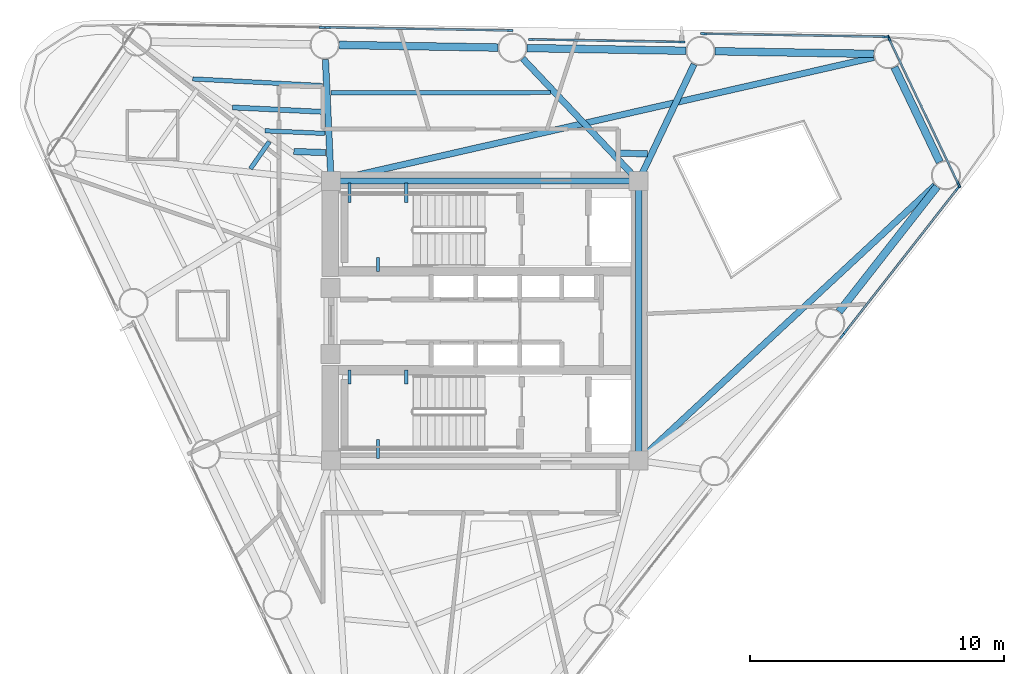
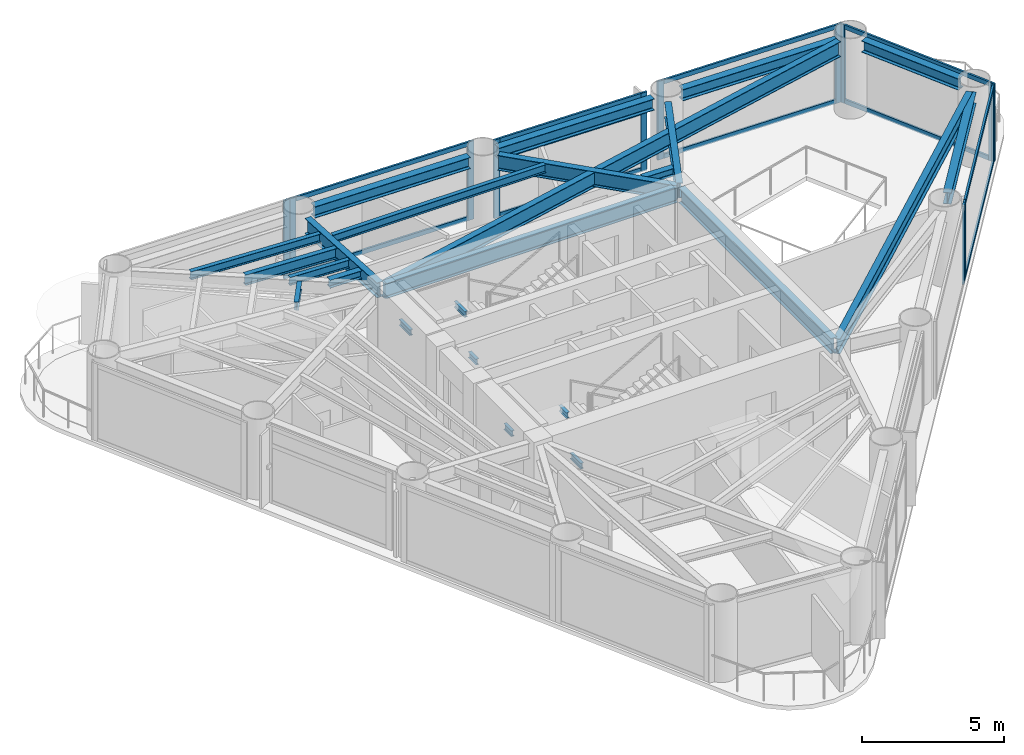
# One storey, part 3 of 9: 25 beams, 23 members, 7 elements without a shape of their own.
"""IFC4 building model written with IfcOpenShell, lengths in metres."""

from ifc_helpers import new_model, si_unit, direction, frame, origin, origin_2d, place, context, subcontext, project, spatial, rectangle, i_section, extrude, source, transform, mapped, material, layer, layer_set, material_profile, profile_set, type_object, element, aggregate, save


model = new_model("IFC4")

# Units and contexts
model_context = context("Model", 3, precision=1e-05, world=origin(), true_north=direction((0.0, 1.0)))
body_context = subcontext(model_context, "Body", "Model", "MODEL_VIEW")
ifc_project = project(units=[si_unit("LENGTHUNIT", "METRE"), si_unit("AREAUNIT", "SQUARE_METRE"), si_unit("VOLUMEUNIT", "CUBIC_METRE"), si_unit("PLANEANGLEUNIT", "RADIAN"), si_unit("MASSUNIT", "GRAM", prefix="KILO")], contexts=[model_context])

# Site, building, storey
site_placement = place(None, origin())
site = spatial("IfcSite", under=ifc_project, at=site_placement, CompositionType="ELEMENT")
building_placement = place(site_placement, origin())
building = spatial("IfcBuilding", under=site, at=building_placement, Name="Yunling Apex Tower", CompositionType="ELEMENT")
storey_placement = place(building_placement, frame((0.0, 0.0, 201.800048828125)))
storey = spatial("IfcBuildingStorey", under=building, at=storey_placement, Name="L49", CompositionType="ELEMENT", Elevation=201.800048828125)

# Beams
ifc_material_1 = material(Name="Steel Q355B", Category="steel")
ifc_material_profile_1 = material_profile(ifc_material_1, i_section(OverallWidth=0.125, OverallDepth=0.25, WebThickness=0.006103515625, FlangeThickness=0.009033203125, FilletRadius=0.011962890625, at=origin_2d()))
ifc_profile_set_1 = profile_set([ifc_material_profile_1], Name="Steel Q355B")
beam_type_1 = type_object("IfcBeamType", Name="BL-LNT-1", PredefinedType="LINTEL", material=ifc_profile_set_1)
shared_shape_1 = source(origin(), body_context, "Body", "SweptSolid", [
    extrude(i_section(OverallWidth=0.125, OverallDepth=0.25, WebThickness=0.006103515625, FlangeThickness=0.009033203125, FilletRadius=0.011962890625, at=origin_2d()), origin(), (0.0, 0.0, 1.0), 0.760009765625),
])
for number, where, z_axis, x_axis, name in (
    (1, (-5.320068359375, 5.419921875, 1.405029296875), (0.0, -1.0, 0.0), (1.0, 0.0, 0.0), "L49 ST-1 Landing Bearing Corbel 1-1"),
    (2, (-3.090087890625, 5.419921875, 1.405029296875), (0.0, -1.0, 0.0), (1.0, 0.0, 0.0), "L49 ST-1 Landing Bearing Corbel 1-2"),
    (3, (-4.205078125, -5.419921875, 1.405029296875), (0.0, 1.0, 0.0), (-1.0, 0.0, 0.0), "L49 ST-2 Landing Bearing Corbel 1-3"),
):
    element("IfcBeam", number, at=place(storey_placement, frame(where, z_axis=z_axis, x_axis=x_axis)), inside=storey, type_object=beam_type_1, Name=name, PredefinedType="LINTEL", context=body_context, shape_type="MappedRepresentation", body=[
        mapped(shared_shape_1, transform((0.0, 0.0, 0.0), scale=1.0)),
    ])
shared_shape_2 = source(origin(), body_context, "Body", "SweptSolid", [
    extrude(i_section(OverallWidth=0.125, OverallDepth=0.25, WebThickness=0.006103515625, FlangeThickness=0.009033203125, FilletRadius=0.011962890625, at=origin_2d()), origin(), (0.0, 0.0, 1.0), 0.550048828125),
])
for number, where, z_axis, x_axis, name in (
    (4, (-4.205078125, 1.93994140625, 1.405029296875), (0.0, 1.0, 0.0), (-1.0, 0.0, 0.0), "L49 ST-1 Landing Bearing Corbel 1-3"),
    (5, (-5.320068359375, -1.93994140625, 1.405029296875), (0.0, -1.0, 0.0), (1.0, 0.0, 0.0), "L49 ST-2 Landing Bearing Corbel 1-1"),
    (6, (-3.090087890625, -1.93994140625, 1.405029296875), (0.0, -1.0, 0.0), (1.0, 0.0, 0.0), "L49 ST-2 Landing Bearing Corbel 1-2"),
):
    element("IfcBeam", number, at=place(storey_placement, frame(where, z_axis=z_axis, x_axis=x_axis)), inside=storey, type_object=beam_type_1, Name=name, PredefinedType="LINTEL", context=body_context, shape_type="MappedRepresentation", body=[
        mapped(shared_shape_2, transform((0.0, 0.0, 0.0), scale=1.0)),
    ])
ifc_material_profile_2 = material_profile(ifc_material_1, i_section(OverallWidth=0.25, OverallDepth=0.64990234375, WebThickness=0.011962890625, FlangeThickness=0.02001953125, FilletRadius=0.02392578125, at=origin_2d()))
ifc_profile_set_2 = profile_set([ifc_material_profile_2], Name="Steel Q355B")
beam_type_2 = type_object("IfcBeamType", Name="BG-PRI-4", PredefinedType="USERDEFINED", material=ifc_profile_set_2)
shared_shape_3 = source(origin(), body_context, "Body", "SweptSolid", [
    extrude(i_section(OverallWidth=0.25, OverallDepth=0.64990234375, WebThickness=0.011962890625, FlangeThickness=0.02001953125, FilletRadius=0.02392578125, at=origin_2d()), origin(), (0.0, 0.0, 1.0), 11.7998046875),
])
beam_1_placement = place(storey_placement, frame((5.89990234375, 5.5, 2.945068359375), z_axis=(-1.0, 0.0, 0.0), x_axis=(0.0, -1.0, 0.0)))
element("IfcBeam", 7, at=beam_1_placement, inside=storey, type_object=beam_type_2, Name="L49 Core Ring Tie Beam 3", ObjectType="GIRDER", PredefinedType="USERDEFINED", context=body_context, shape_type="MappedRepresentation", body=[
    mapped(shared_shape_3, transform((0.0, 0.0, 0.0), scale=1.0)),
])
shared_shape_4 = source(origin(), body_context, "Body", "SweptSolid", [
    extrude(i_section(OverallWidth=0.25, OverallDepth=0.64990234375, WebThickness=0.011962890625, FlangeThickness=0.02001953125, FilletRadius=0.02392578125, at=origin_2d()), origin(), (0.0, 0.0, 1.0), 10.7001953125),
])
beam_2_placement = place(storey_placement, frame((6.050048828125, -5.35009765625, 2.945068359375), z_axis=(0.0, 1.0, 0.0), x_axis=(-1.0, 0.0, 0.0)))
element("IfcBeam", 8, at=beam_2_placement, inside=storey, type_object=beam_type_2, Name="L49 Core Ring Tie Beam 2", ObjectType="GIRDER", PredefinedType="USERDEFINED", context=body_context, shape_type="MappedRepresentation", body=[
    mapped(shared_shape_4, transform((0.0, 0.0, 0.0), scale=1.0)),
])
ifc_material_profile_3 = material_profile(ifc_material_1, i_section(OverallWidth=0.300048828125, OverallDepth=0.489990234375, WebThickness=0.010986328125, FlangeThickness=0.01806640625, FilletRadius=0.02197265625, at=origin_2d()))
ifc_profile_set_3 = profile_set([ifc_material_profile_3], Name="Steel Q355B")
beam_type_3 = type_object("IfcBeamType", Name="BP-SPN-2", PredefinedType="SPANDREL", material=ifc_profile_set_3)
shared_shape_5 = source(origin(), body_context, "Body", "SweptSolid", [
    extrude(i_section(OverallWidth=0.300048828125, OverallDepth=0.489990234375, WebThickness=0.010986328125, FlangeThickness=0.01806640625, FilletRadius=0.02197265625, at=origin_2d()), origin(), (0.0, 0.0, 1.0), 6.252685546875),
])
beam_3_placement = place(storey_placement, frame((13.940185546875, 0.35791015625, 3.02490234375), z_axis=(0.616211399259, 0.787580796759, 0.0), x_axis=(-0.787580796759, 0.616211399259, 0.0)))
element("IfcBeam", 9, at=beam_3_placement, inside=storey, type_object=beam_type_3, Name="L49 Perimeter Spandrel Beam 4", PredefinedType="SPANDREL", context=body_context, shape_type="MappedRepresentation", body=[
    mapped(shared_shape_5, transform((0.0, 0.0, 0.0), scale=1.0)),
])
shared_shape_6 = source(origin(), body_context, "Body", "SweptSolid", [
    extrude(i_section(OverallWidth=0.300048828125, OverallDepth=0.489990234375, WebThickness=0.010986328125, FlangeThickness=0.01806640625, FilletRadius=0.02197265625, at=origin_2d()), origin(), (0.0, 0.0, 1.0), 6.253173828125),
])
for number, where, z_axis, x_axis, name in (
    (10, (15.302978515625, 10.50341796875, 3.02490234375), (-0.999859061432, 0.016788605428, 0.0), (-0.016788605428, -0.999859061432, 0.0), "L49 Perimeter Spandrel Beam 6"),
    (11, (7.9130859375, 10.627197265625, 3.02490234375), (-0.999859061432, 0.016788605428, 0.0), (-0.016788605428, -0.999859061432, 0.0), "L49 Perimeter Spandrel Beam 7"),
    (12, (0.523193359375, 10.751220703125, 3.02490234375), (-0.99985971606, 0.016749573126, 0.0), (-0.016749573126, -0.99985971606, 0.0), "L49 Perimeter Spandrel Beam 8"),
):
    element("IfcBeam", number, at=place(storey_placement, frame(where, z_axis=z_axis, x_axis=x_axis)), inside=storey, type_object=beam_type_3, Name=name, PredefinedType="SPANDREL", context=body_context, shape_type="MappedRepresentation", body=[
        mapped(shared_shape_6, transform((0.0, 0.0, 0.0), scale=1.0)),
    ])
shared_shape_7 = source(origin(), body_context, "Body", "SweptSolid", [
    extrude(i_section(OverallWidth=0.300048828125, OverallDepth=0.489990234375, WebThickness=0.010986328125, FlangeThickness=0.01806640625, FilletRadius=0.02197265625, at=origin_2d()), origin(), (0.0, 0.0, 1.0), 4.139404296875),
])
beam_4_placement = place(storey_placement, frame((17.898681640625, 6.244140625, 3.02490234375), z_axis=(-0.430503573335, 0.902588872824, 0.0), x_axis=(-0.902588872824, -0.430503573335, 0.0)))
element("IfcBeam", 13, at=beam_4_placement, inside=storey, type_object=beam_type_3, Name="L49 Perimeter Spandrel Beam 5", PredefinedType="SPANDREL", context=body_context, shape_type="MappedRepresentation", body=[
    mapped(shared_shape_7, transform((0.0, 0.0, 0.0), scale=1.0)),
])
shared_shape_8 = source(origin(), body_context, "Body", "SweptSolid", [
    extrude(i_section(OverallWidth=0.25, OverallDepth=0.64990234375, WebThickness=0.011962890625, FlangeThickness=0.02001953125, FilletRadius=0.02392578125, at=origin_2d()), origin(), (0.0, 0.0, 1.0), 15.841064453125),
])
beam_5_placement = place(storey_placement, frame((17.716552734375, 5.333984375, 2.945068359375), z_axis=(-0.732769338977, -0.680477108986, 0.0), x_axis=(0.680477108986, -0.732769338977, 0.0)))
element("IfcBeam", 14, at=beam_5_placement, inside=storey, type_object=beam_type_2, Name="L49 Radial Primary Girder R05", ObjectType="GIRDER", PredefinedType="USERDEFINED", context=body_context, shape_type="MappedRepresentation", body=[
    mapped(shared_shape_8, transform((0.0, 0.0, 0.0), scale=1.0)),
])
shared_shape_9 = source(origin(), body_context, "Body", "SweptSolid", [
    extrude(i_section(OverallWidth=0.25, OverallDepth=0.64990234375, WebThickness=0.011962890625, FlangeThickness=0.02001953125, FilletRadius=0.02392578125, at=origin_2d()), origin(), (0.0, 0.0, 1.0), 21.820556640625),
])
beam_6_placement = place(storey_placement, frame((15.303466796875, 10.364501953125, 2.945068359375), z_axis=(-0.975020184512, -0.222116275394, 0.0), x_axis=(0.222116275394, -0.975020184512, 0.0)))
element("IfcBeam", 15, at=beam_6_placement, inside=storey, type_object=beam_type_2, Name="L49 Radial Primary Girder R06", ObjectType="GIRDER", PredefinedType="USERDEFINED", context=body_context, shape_type="MappedRepresentation", body=[
    mapped(shared_shape_9, transform((0.0, 0.0, 0.0), scale=1.0)),
])
shared_shape_10 = source(origin(), body_context, "Body", "SweptSolid", [
    extrude(i_section(OverallWidth=0.25, OverallDepth=0.64990234375, WebThickness=0.011962890625, FlangeThickness=0.02001953125, FilletRadius=0.02392578125, at=origin_2d()), origin(), (0.0, 0.0, 1.0), 5.00341796875),
])
beam_7_placement = place(storey_placement, frame((8.231689453125, 10.09130859375, 2.945068359375), z_axis=(-0.429206106824, -0.903206575411, 0.0), x_axis=(0.903206575411, -0.429206106824, 0.0)))
element("IfcBeam", 16, at=beam_7_placement, inside=storey, type_object=beam_type_2, Name="L49 Radial Primary Girder R07", ObjectType="GIRDER", PredefinedType="USERDEFINED", context=body_context, shape_type="MappedRepresentation", body=[
    mapped(shared_shape_10, transform((0.0, 0.0, 0.0), scale=1.0)),
])
shared_shape_11 = source(origin(), body_context, "Body", "SweptSolid", [
    extrude(i_section(OverallWidth=0.25, OverallDepth=0.64990234375, WebThickness=0.011962890625, FlangeThickness=0.02001953125, FilletRadius=0.02392578125, at=origin_2d()), origin(), (0.0, 0.0, 1.0), 6.552001953125),
])
beam_8_placement = place(storey_placement, frame((1.49267578125, 10.318115234375, 2.945068359375), z_axis=(0.687178062581, -0.726489029723, 0.0), x_axis=(0.726489029723, 0.687178062581, 0.0)))
element("IfcBeam", 17, at=beam_8_placement, inside=storey, type_object=beam_type_2, Name="L49 Radial Primary Girder R08", ObjectType="GIRDER", PredefinedType="USERDEFINED", context=body_context, shape_type="MappedRepresentation", body=[
    mapped(shared_shape_11, transform((0.0, 0.0, 0.0), scale=1.0)),
])
shared_shape_12 = source(origin(), body_context, "Body", "SweptSolid", [
    extrude(i_section(OverallWidth=0.25, OverallDepth=0.64990234375, WebThickness=0.011962890625, FlangeThickness=0.02001953125, FilletRadius=0.02392578125, at=origin_2d()), origin(), (0.0, 0.0, 1.0), 4.70849609375),
])
beam_9_placement = place(storey_placement, frame((-6.27099609375, 10.283203125, 2.945068359375), z_axis=(0.046148548326, -0.998934588193, 0.0), x_axis=(0.998934588193, 0.046148548326, 0.0)))
element("IfcBeam", 18, at=beam_9_placement, inside=storey, type_object=beam_type_2, Name="L49 Radial Primary Girder R09", ObjectType="GIRDER", PredefinedType="USERDEFINED", context=body_context, shape_type="MappedRepresentation", body=[
    mapped(shared_shape_12, transform((0.0, 0.0, 0.0), scale=1.0)),
])
ifc_material_profile_4 = material_profile(ifc_material_1, i_section(OverallWidth=0.25, OverallDepth=0.340087890625, WebThickness=0.009033203125, FlangeThickness=0.013916015625, FilletRadius=0.01806640625, at=origin_2d()))
ifc_profile_set_4 = profile_set([ifc_material_profile_4], Name="Steel Q355B")
beam_type_4 = type_object("IfcBeamType", Name="BJ-JST-2", PredefinedType="JOIST", material=ifc_profile_set_4)
shared_shape_13 = source(origin(), body_context, "Body", "SweptSolid", [
    extrude(i_section(OverallWidth=0.25, OverallDepth=0.340087890625, WebThickness=0.009033203125, FlangeThickness=0.013916015625, FilletRadius=0.01806640625, at=origin_2d()), origin(), (0.0, 0.0, 1.0), 1.23291015625),
])
beam_10_placement = place(storey_placement, frame((6.396728515625, 6.570556640625, 3.099853515625), z_axis=(-0.999688635189, 0.024952608565, 0.0), x_axis=(-0.024952608565, -0.999688635189, 0.0)))
element("IfcBeam", 19, at=beam_10_placement, inside=storey, type_object=beam_type_4, Name="L49 Composite Floor Joist BJ2-7", PredefinedType="JOIST", context=body_context, shape_type="MappedRepresentation", body=[
    mapped(shared_shape_13, transform((0.0, 0.0, 0.0), scale=1.0)),
])
ifc_material_profile_5 = material_profile(ifc_material_1, i_section(OverallWidth=0.175048828125, OverallDepth=0.35009765625, WebThickness=0.007080078125, FlangeThickness=0.010986328125, FilletRadius=0.013916015625, at=origin_2d()))
ifc_profile_set_5 = profile_set([ifc_material_profile_5], Name="Steel Q355B")
beam_type_5 = type_object("IfcBeamType", Name="BJ-JST-1", PredefinedType="JOIST", material=ifc_profile_set_5)
shared_shape_14 = source(origin(), body_context, "Body", "SweptSolid", [
    extrude(i_section(OverallWidth=0.175048828125, OverallDepth=0.35009765625, WebThickness=0.007080078125, FlangeThickness=0.010986328125, FilletRadius=0.013916015625, at=origin_2d()), origin(), (0.0, 0.0, 1.0), 8.643310546875),
])
beam_11_placement = place(storey_placement, frame((2.59326171875, 8.985107421875, 3.094970703125), z_axis=(-0.999997695824, -0.002146705784, 0.0), x_axis=(0.002146705784, -0.999997695824, 0.0)))
element("IfcBeam", 20, at=beam_11_placement, inside=storey, type_object=beam_type_5, Name="L49 Composite Floor Joist BJ1-8", PredefinedType="JOIST", context=body_context, shape_type="MappedRepresentation", body=[
    mapped(shared_shape_14, transform((0.0, 0.0, 0.0), scale=1.0)),
])
ifc_material_profile_6 = material_profile(ifc_material_1, i_section(OverallWidth=0.199951171875, OverallDepth=0.449951171875, WebThickness=0.009033203125, FlangeThickness=0.013916015625, FilletRadius=0.01806640625, at=origin_2d()))
ifc_profile_set_6 = profile_set([ifc_material_profile_6], Name="Steel Q355B")
beam_type_6 = type_object("IfcBeamType", Name="BS-SEC-3", PredefinedType="BEAM", material=ifc_profile_set_6)
shared_shape_15 = source(origin(), body_context, "Body", "SweptSolid", [
    extrude(i_section(OverallWidth=0.199951171875, OverallDepth=0.449951171875, WebThickness=0.009033203125, FlangeThickness=0.013916015625, FilletRadius=0.01806640625, at=origin_2d()), origin(), (0.0, 0.0, 1.0), 3.599853515625),
])
beam_12_placement = place(storey_placement, frame((-6.335205078125, 8.221435546875, 3.044921875), z_axis=(-0.998820387083, 0.048557536471, 0.0), x_axis=(-0.048557536471, -0.998820387083, 0.0)))
element("IfcBeam", 21, at=beam_12_placement, inside=storey, type_object=beam_type_6, Name="L49 Composite Floor Beam BS-9", PredefinedType="BEAM", context=body_context, shape_type="MappedRepresentation", body=[
    mapped(shared_shape_15, transform((0.0, 0.0, 0.0), scale=1.0)),
])
shared_shape_16 = source(origin(), body_context, "Body", "SweptSolid", [
    extrude(i_section(OverallWidth=0.175048828125, OverallDepth=0.35009765625, WebThickness=0.007080078125, FlangeThickness=0.010986328125, FilletRadius=0.013916015625, at=origin_2d()), origin(), (0.0, 0.0, 1.0), 5.116455078125),
])
beam_13_placement = place(storey_placement, frame((-6.3828125, 9.256591796875, 3.094970703125), z_axis=(-0.998690915519, 0.051151297728, 0.0), x_axis=(-0.051151297728, -0.998690915519, 0.0)))
element("IfcBeam", 22, at=beam_13_placement, inside=storey, type_object=beam_type_5, Name="L49 Composite Floor Joist BJ1-9", PredefinedType="JOIST", context=body_context, shape_type="MappedRepresentation", body=[
    mapped(shared_shape_16, transform((0.0, 0.0, 0.0), scale=1.0)),
])
shared_shape_17 = source(origin(), body_context, "Body", "SweptSolid", [
    extrude(i_section(OverallWidth=0.175048828125, OverallDepth=0.35009765625, WebThickness=0.007080078125, FlangeThickness=0.010986328125, FilletRadius=0.013916015625, at=origin_2d()), origin(), (0.0, 0.0, 1.0), 2.35888671875),
])
beam_14_placement = place(storey_placement, frame((-6.296142578125, 7.374267578125, 3.094970703125), z_axis=(-0.999023067934, 0.044191738321, 0.0), x_axis=(-0.044191738321, -0.999023067934, 0.0)))
element("IfcBeam", 23, at=beam_14_placement, inside=storey, type_object=beam_type_5, Name="L49 Composite Floor Joist BJ3-9", PredefinedType="JOIST", context=body_context, shape_type="MappedRepresentation", body=[
    mapped(shared_shape_17, transform((0.0, 0.0, 0.0), scale=1.0)),
])
shared_shape_18 = source(origin(), body_context, "Body", "SweptSolid", [
    extrude(i_section(OverallWidth=0.25, OverallDepth=0.340087890625, WebThickness=0.009033203125, FlangeThickness=0.013916015625, FilletRadius=0.01806640625, at=origin_2d()), origin(), (0.0, 0.0, 1.0), 1.256103515625),
])
beam_15_placement = place(storey_placement, frame((-6.261474609375, 6.6201171875, 3.099853515625), z_axis=(-0.999394634841, 0.034790283866, 0.0), x_axis=(-0.034790283866, -0.999394634841, 0.0)))
element("IfcBeam", 24, at=beam_15_placement, inside=storey, type_object=beam_type_4, Name="L49 Composite Floor Joist BJ2-9", PredefinedType="JOIST", context=body_context, shape_type="MappedRepresentation", body=[
    mapped(shared_shape_18, transform((0.0, 0.0, 0.0), scale=1.0)),
])
shared_shape_19 = source(origin(), body_context, "Body", "SweptSolid", [
    extrude(i_section(OverallWidth=0.175048828125, OverallDepth=0.35009765625, WebThickness=0.007080078125, FlangeThickness=0.010986328125, FilletRadius=0.013916015625, at=origin_2d()), origin(), (0.0, 0.0, 1.0), 1.29736328125),
])
beam_16_placement = place(storey_placement, frame((-8.478515625, 7.04833984375, 3.094970703125), z_axis=(-0.572590644925, -0.819841419632, 0.0), x_axis=(0.819841419632, -0.572590644925, 0.0)))
element("IfcBeam", 25, at=beam_16_placement, inside=storey, type_object=beam_type_5, Name="L49 Composite Floor Joist BJ3-10", PredefinedType="JOIST", context=body_context, shape_type="MappedRepresentation", body=[
    mapped(shared_shape_19, transform((0.0, 0.0, 0.0), scale=1.0)),
])

# Curtain wall, member
ifc_material_2 = material(Name="Bronze anodised aluminium", Category="aluminium")
ifc_layer = layer(ifc_material_2, 0.239990234375)
ifc_layer_set = layer_set([ifc_layer], Name="Bronze anodised aluminium")
curtain_wall_type = type_object("IfcCurtainWallType", Name="CW-SYS-3", PredefinedType="NOTDEFINED", material=ifc_layer_set)
curtain_wall_1_placement = place(storey_placement, origin())
curtain_wall_1 = element("IfcCurtainWall", 26, at=curtain_wall_1_placement, inside=storey, type_object=curtain_wall_type, Name="CW-L49-F1-B3", PredefinedType="NOTDEFINED")
ifc_material_profile_7 = material_profile(ifc_material_2, rectangle(XDim=0.080078125, YDim=0.239990234375, at=origin_2d()))
ifc_profile_set_7 = profile_set([ifc_material_profile_7], Name="Bronze anodised aluminium")
member_type_1 = type_object("IfcMemberType", Name="CW-MUL-3", PredefinedType="MULLION", material=ifc_profile_set_7)
shared_shape_20 = source(origin(), body_context, "Body", "SweptSolid", [
    extrude(rectangle(XDim=0.080078125, YDim=0.239990234375, at=origin_2d()), origin(), (0.0, 0.0, 1.0), 3.3701171875),
])
member_1_placement = place(storey_placement, frame((14.051025390625, -0.603759765625, -0.050048828125), z_axis=(0.0, 0.0, 1.0), x_axis=(-0.787589332433, 0.616200489644, 0.0)))
member_1 = element("IfcMember", 27, at=member_1_placement, type_object=member_type_1, Name="CW-SYS-3 mullion 2", PredefinedType="MULLION", context=body_context, shape_type="MappedRepresentation", body=[
    mapped(shared_shape_20, transform((0.0, 0.0, 0.0), scale=1.0)),
])
aggregate(curtain_wall_1, [member_1])

# Curtain wall, members
curtain_wall_2_placement = place(storey_placement, origin())
curtain_wall_2 = element("IfcCurtainWall", 28, at=curtain_wall_2_placement, inside=storey, type_object=curtain_wall_type, Name="CW-L49-F1-B4", PredefinedType="NOTDEFINED")
member_2_placement = place(storey_placement, frame((14.198974609375, -0.414794921875, -0.050048828125), z_axis=(0.0, 0.0, 1.0), x_axis=(-0.787589332433, 0.616200489644, 0.0)))
member_2 = element("IfcMember", 29, at=member_2_placement, type_object=member_type_1, Name="CW-SYS-3 mullion 1", PredefinedType="MULLION", context=body_context, shape_type="MappedRepresentation", body=[
    mapped(shared_shape_20, transform((0.0, 0.0, 0.0), scale=1.0)),
])
member_3_placement = place(storey_placement, frame((18.60546875, 5.21728515625, -0.050048828125), z_axis=(0.0, 0.0, 1.0), x_axis=(-0.787589332433, 0.616200489644, 0.0)))
member_3 = element("IfcMember", 30, at=member_3_placement, type_object=member_type_1, Name="CW-SYS-3 mullion 2", PredefinedType="MULLION", context=body_context, shape_type="MappedRepresentation", body=[
    mapped(shared_shape_20, transform((0.0, 0.0, 0.0), scale=1.0)),
])

curtain_wall_3_placement = place(storey_placement, origin())
curtain_wall_3 = element("IfcCurtainWall", 31, at=curtain_wall_3_placement, inside=storey, type_object=curtain_wall_type, Name="CW-L49-CRN1", PredefinedType="NOTDEFINED")
member_4_placement = place(storey_placement, frame((18.646484375, 5.360107421875, -0.050048828125), z_axis=(0.0, 0.0, 1.0), x_axis=(-0.902577581426, -0.430527245951, 0.0)))
member_4 = element("IfcMember", 32, at=member_4_placement, type_object=member_type_1, Name="CW-SYS-3 mullion 1", PredefinedType="MULLION", context=body_context, shape_type="MappedRepresentation", body=[
    mapped(shared_shape_20, transform((0.0, 0.0, 0.0), scale=1.0)),
])
member_5_placement = place(storey_placement, frame((15.89990234375, 11.11767578125, -0.050048828125), z_axis=(0.0, 0.0, 1.0), x_axis=(-0.902577581426, -0.430527245951, 0.0)))
member_5 = element("IfcMember", 33, at=member_5_placement, type_object=member_type_1, Name="CW-SYS-3 mullion 2", PredefinedType="MULLION", context=body_context, shape_type="MappedRepresentation", body=[
    mapped(shared_shape_20, transform((0.0, 0.0, 0.0), scale=1.0)),
])

curtain_wall_4_placement = place(storey_placement, origin())
curtain_wall_4 = element("IfcCurtainWall", 34, at=curtain_wall_4_placement, inside=storey, type_object=curtain_wall_type, Name="CW-L49-F2-B1", PredefinedType="NOTDEFINED")
member_6_placement = place(storey_placement, frame((15.76318359375, 11.17578125, -0.050048828125), z_axis=(0.0, 0.0, 1.0), x_axis=(-0.016761362354, -0.999859518498, 0.0)))
member_6 = element("IfcMember", 35, at=member_6_placement, type_object=member_type_1, Name="CW-SYS-3 mullion 1", PredefinedType="MULLION", context=body_context, shape_type="MappedRepresentation", body=[
    mapped(shared_shape_20, transform((0.0, 0.0, 0.0), scale=1.0)),
])
member_7_placement = place(storey_placement, frame((8.61328125, 11.295654296875, -0.050048828125), z_axis=(0.0, 0.0, 1.0), x_axis=(-0.016761362354, -0.999859518498, 0.0)))
member_7 = element("IfcMember", 36, at=member_7_placement, type_object=member_type_1, Name="CW-SYS-3 mullion 2", PredefinedType="MULLION", context=body_context, shape_type="MappedRepresentation", body=[
    mapped(shared_shape_20, transform((0.0, 0.0, 0.0), scale=1.0)),
])

curtain_wall_5_placement = place(storey_placement, origin())
curtain_wall_5 = element("IfcCurtainWall", 37, at=curtain_wall_5_placement, inside=storey, type_object=curtain_wall_type, Name="CW-L49-F2-B2", PredefinedType="NOTDEFINED")
member_8_placement = place(storey_placement, frame((7.747802734375, 10.97021484375, -0.050048828125), z_axis=(0.0, 0.0, 1.0), x_axis=(-0.016758635119, -0.999859564213, 0.0)))
member_8 = element("IfcMember", 38, at=member_8_placement, type_object=member_type_1, Name="CW-SYS-3 mullion 1", PredefinedType="MULLION", context=body_context, shape_type="MappedRepresentation", body=[
    mapped(shared_shape_20, transform((0.0, 0.0, 0.0), scale=1.0)),
])
member_9_placement = place(storey_placement, frame((1.837646484375, 11.0693359375, -0.050048828125), z_axis=(0.0, 0.0, 1.0), x_axis=(-0.016758635119, -0.999859564213, 0.0)))
member_9 = element("IfcMember", 39, at=member_9_placement, type_object=member_type_1, Name="CW-SYS-3 mullion 2", PredefinedType="MULLION", context=body_context, shape_type="MappedRepresentation", body=[
    mapped(shared_shape_20, transform((0.0, 0.0, 0.0), scale=1.0)),
])

curtain_wall_6_placement = place(storey_placement, origin())
curtain_wall_6 = element("IfcCurtainWall", 40, at=curtain_wall_6_placement, inside=storey, type_object=curtain_wall_type, Name="CW-L49-F2-B3", PredefinedType="NOTDEFINED")
member_10_placement = place(storey_placement, frame((0.9833984375, 11.423583984375, -0.050048828125), z_axis=(0.0, 0.0, 1.0), x_axis=(-0.016747305141, -0.999859754051, 0.0)))
member_10 = element("IfcMember", 41, at=member_10_placement, type_object=member_type_1, Name="CW-SYS-3 mullion 1", PredefinedType="MULLION", context=body_context, shape_type="MappedRepresentation", body=[
    mapped(shared_shape_20, transform((0.0, 0.0, 0.0), scale=1.0)),
])
member_11_placement = place(storey_placement, frame((-6.16650390625, 11.54345703125, -0.050048828125), z_axis=(0.0, 0.0, 1.0), x_axis=(-0.016747305141, -0.999859754051, 0.0)))
member_11 = element("IfcMember", 42, at=member_11_placement, type_object=member_type_1, Name="CW-SYS-3 mullion 2", PredefinedType="MULLION", context=body_context, shape_type="MappedRepresentation", body=[
    mapped(shared_shape_20, transform((0.0, 0.0, 0.0), scale=1.0)),
])

# Curtain wall, member
curtain_wall_7_placement = place(storey_placement, origin())
curtain_wall_7 = element("IfcCurtainWall", 43, at=curtain_wall_7_placement, inside=storey, type_object=curtain_wall_type, Name="CW-L49-F2-B4", PredefinedType="NOTDEFINED")
member_12_placement = place(storey_placement, frame((-6.406494140625, 11.54736328125, -0.050048828125), z_axis=(0.0, 0.0, 1.0), x_axis=(-0.016761362354, -0.999859518498, 0.0)))
member_12 = element("IfcMember", 44, at=member_12_placement, type_object=member_type_1, Name="CW-SYS-3 mullion 1", PredefinedType="MULLION", context=body_context, shape_type="MappedRepresentation", body=[
    mapped(shared_shape_20, transform((0.0, 0.0, 0.0), scale=1.0)),
])
aggregate(curtain_wall_7, [member_12])

# Member
ifc_material_profile_8 = material_profile(ifc_material_2, rectangle(XDim=0.080078125, YDim=0.18505859375, at=origin_2d()))
ifc_profile_set_8 = profile_set([ifc_material_profile_8], Name="Bronze anodised aluminium")
member_type_2 = type_object("IfcMemberType", Name="CW-TRN-3", PredefinedType="USERDEFINED", material=ifc_profile_set_8)
shared_shape_21 = source(origin(), body_context, "Body", "SweptSolid", [
    extrude(rectangle(XDim=0.080078125, YDim=0.18505859375, at=origin_2d()), origin(), (0.0, 0.0, 1.0), 5.8388671875),
])
member_13_placement = place(storey_placement, frame((7.7119140625, 10.970703125, 0.0400390625), z_axis=(-0.99985942793, 0.016766764128, 0.0), x_axis=(-0.016766764128, -0.99985942793, 0.0)))
member_13 = element("IfcMember", 45, at=member_13_placement, type_object=member_type_2, Name="CW-SYS-3 transom 1.1", ObjectType="TRANSOM", PredefinedType="USERDEFINED", context=body_context, shape_type="MappedRepresentation", body=[
    mapped(shared_shape_21, transform((0.0, 0.0, 0.0), scale=1.0)),
])

member_14_placement = place(storey_placement, frame((7.7119140625, 10.970703125, 2.485107421875), z_axis=(-0.99985942793, 0.016766764128, 0.0), x_axis=(-0.016766764128, -0.99985942793, 0.0)))
member_14 = element("IfcMember", 46, at=member_14_placement, type_object=member_type_2, Name="CW-SYS-3 transom 1.2", ObjectType="TRANSOM", PredefinedType="USERDEFINED", context=body_context, shape_type="MappedRepresentation", body=[
    mapped(shared_shape_21, transform((0.0, 0.0, 0.0), scale=1.0)),
])

member_15_placement = place(storey_placement, frame((7.7119140625, 10.970703125, 3.22998046875), z_axis=(-0.99985942793, 0.016766764128, 0.0), x_axis=(-0.016766764128, -0.99985942793, 0.0)))
member_15 = element("IfcMember", 47, at=member_15_placement, type_object=member_type_2, Name="CW-SYS-3 transom 1.3", ObjectType="TRANSOM", PredefinedType="USERDEFINED", context=body_context, shape_type="MappedRepresentation", body=[
    mapped(shared_shape_21, transform((0.0, 0.0, 0.0), scale=1.0)),
])

aggregate(curtain_wall_5, [member_8, member_9, member_13, member_14, member_15])

shared_shape_22 = source(origin(), body_context, "Body", "SweptSolid", [
    extrude(rectangle(XDim=0.080078125, YDim=0.18505859375, at=origin_2d()), origin(), (0.0, 0.0, 1.0), 7.0791015625),
])
member_16_placement = place(storey_placement, frame((14.22119140625, -0.386474609375, 0.0400390625), z_axis=(0.616192015574, 0.78759596237, 0.0), x_axis=(-0.78759596237, 0.616192015574, 0.0)))
member_16 = element("IfcMember", 48, at=member_16_placement, type_object=member_type_2, Name="CW-SYS-3 transom 1.1", ObjectType="TRANSOM", PredefinedType="USERDEFINED", context=body_context, shape_type="MappedRepresentation", body=[
    mapped(shared_shape_22, transform((0.0, 0.0, 0.0), scale=1.0)),
])

member_17_placement = place(storey_placement, frame((14.22119140625, -0.386474609375, 3.22998046875), z_axis=(0.616192015574, 0.78759596237, 0.0), x_axis=(-0.78759596237, 0.616192015574, 0.0)))
member_17 = element("IfcMember", 49, at=member_17_placement, type_object=member_type_2, Name="CW-SYS-3 transom 1.2", ObjectType="TRANSOM", PredefinedType="USERDEFINED", context=body_context, shape_type="MappedRepresentation", body=[
    mapped(shared_shape_22, transform((0.0, 0.0, 0.0), scale=1.0)),
])

aggregate(curtain_wall_2, [member_2, member_3, member_16, member_17])

member_18_placement = place(storey_placement, frame((15.727294921875, 11.176513671875, 0.0400390625), z_axis=(-0.999859526413, 0.01676089024, 0.0), x_axis=(-0.01676089024, -0.999859526413, 0.0)))
member_18 = element("IfcMember", 50, at=member_18_placement, type_object=member_type_2, Name="CW-SYS-3 transom 1.1", ObjectType="TRANSOM", PredefinedType="USERDEFINED", context=body_context, shape_type="MappedRepresentation", body=[
    mapped(shared_shape_22, transform((0.0, 0.0, 0.0), scale=1.0)),
])

member_19_placement = place(storey_placement, frame((15.727294921875, 11.176513671875, 3.22998046875), z_axis=(-0.999859526413, 0.01676089024, 0.0), x_axis=(-0.01676089024, -0.999859526413, 0.0)))
member_19 = element("IfcMember", 51, at=member_19_placement, type_object=member_type_2, Name="CW-SYS-3 transom 1.2", ObjectType="TRANSOM", PredefinedType="USERDEFINED", context=body_context, shape_type="MappedRepresentation", body=[
    mapped(shared_shape_22, transform((0.0, 0.0, 0.0), scale=1.0)),
])

aggregate(curtain_wall_4, [member_6, member_7, member_18, member_19])

member_20_placement = place(storey_placement, frame((0.947509765625, 11.42431640625, 0.0400390625), z_axis=(-0.999860103777, 0.01672641247, 0.0), x_axis=(-0.01672641247, -0.999860103777, 0.0)))
member_20 = element("IfcMember", 52, at=member_20_placement, type_object=member_type_2, Name="CW-SYS-3 transom 1.1", ObjectType="TRANSOM", PredefinedType="USERDEFINED", context=body_context, shape_type="MappedRepresentation", body=[
    mapped(shared_shape_22, transform((0.0, 0.0, 0.0), scale=1.0)),
])

member_21_placement = place(storey_placement, frame((0.947509765625, 11.42431640625, 3.22998046875), z_axis=(-0.999860103777, 0.01672641247, 0.0), x_axis=(-0.01672641247, -0.999860103777, 0.0)))
member_21 = element("IfcMember", 53, at=member_21_placement, type_object=member_type_2, Name="CW-SYS-3 transom 1.2", ObjectType="TRANSOM", PredefinedType="USERDEFINED", context=body_context, shape_type="MappedRepresentation", body=[
    mapped(shared_shape_22, transform((0.0, 0.0, 0.0), scale=1.0)),
])

aggregate(curtain_wall_6, [member_10, member_11, member_20, member_21])

shared_shape_23 = source(origin(), body_context, "Body", "SweptSolid", [
    extrude(rectangle(XDim=0.080078125, YDim=0.18505859375, at=origin_2d()), origin(), (0.0, 0.0, 1.0), 6.30712890625),
])
member_22_placement = place(storey_placement, frame((18.630859375, 5.392578125, 0.0400390625), z_axis=(-0.430522496716, 0.902579846784, 0.0), x_axis=(-0.902579846784, -0.430522496716, 0.0)))
member_22 = element("IfcMember", 54, at=member_22_placement, type_object=member_type_2, Name="CW-SYS-3 transom 1.1", ObjectType="TRANSOM", PredefinedType="USERDEFINED", context=body_context, shape_type="MappedRepresentation", body=[
    mapped(shared_shape_23, transform((0.0, 0.0, 0.0), scale=1.0)),
])

member_23_placement = place(storey_placement, frame((18.630859375, 5.392578125, 3.22998046875), z_axis=(-0.430522496716, 0.902579846784, 0.0), x_axis=(-0.902579846784, -0.430522496716, 0.0)))
member_23 = element("IfcMember", 55, at=member_23_placement, type_object=member_type_2, Name="CW-SYS-3 transom 1.2", ObjectType="TRANSOM", PredefinedType="USERDEFINED", context=body_context, shape_type="MappedRepresentation", body=[
    mapped(shared_shape_23, transform((0.0, 0.0, 0.0), scale=1.0)),
])

aggregate(curtain_wall_3, [member_4, member_5, member_22, member_23])

save(model, "model.ifc")
